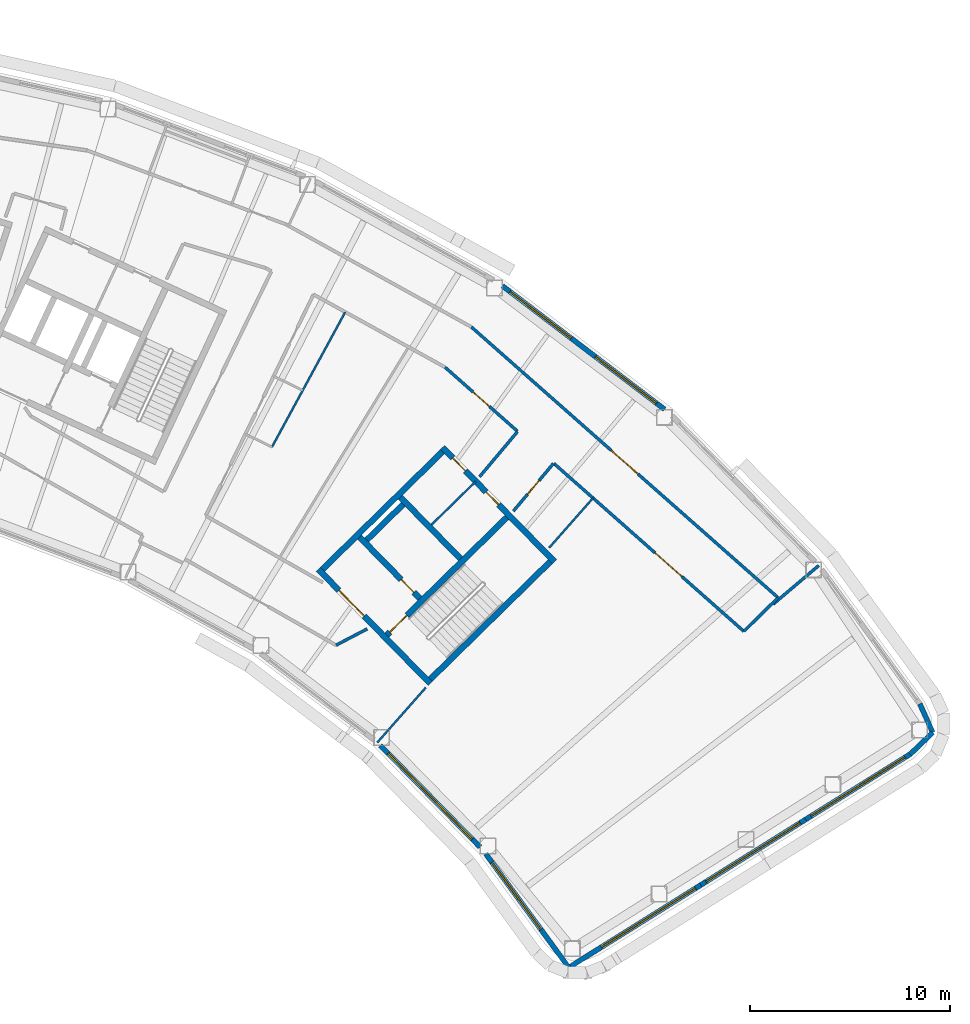
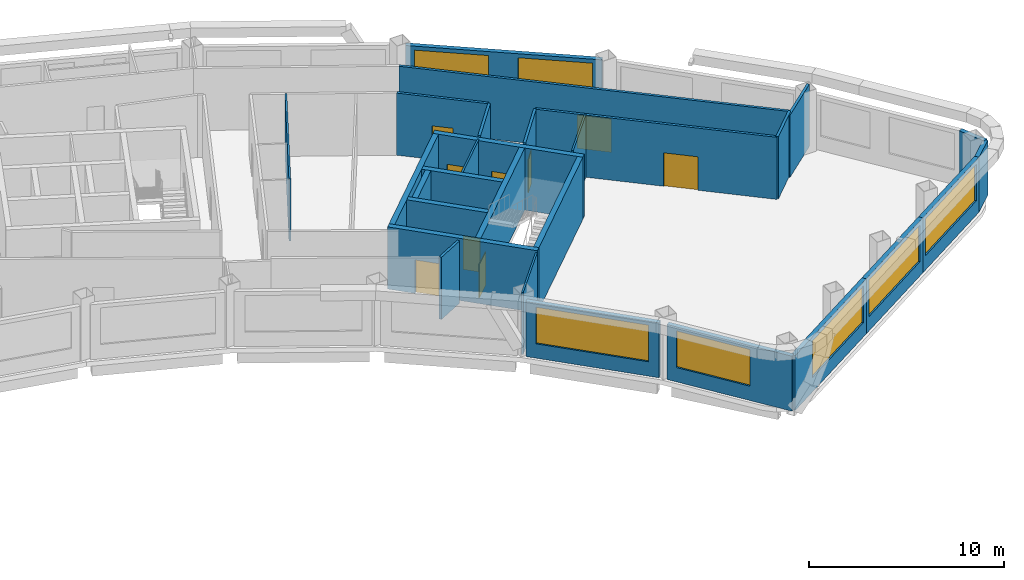
# One storey, part 9 of 16: 28 walls, 9 doors, 7 windows, 16 openings.
"""IFC4 building model written with IfcOpenShell, lengths in metres."""

import ifcopenshell
import ifcopenshell.guid

model = None  # the IFC model being written
_history = None  # IfcOwnerHistory: only IFC2X3 demands one
_inside = {}  # id of a spatial element -> (the spatial element, [elements in it])
_under = {}  # id of a project, library or spatial element -> (it, [spatial elements below it])
_declared = {}  # id of a project -> (the project, [libraries it declares])
_typed = {}  # id of a type object -> (the type object, [elements of that type])
_made_of = {}  # id of a material, layer set ... -> (it, [elements and type objects made of it])


def new_model(schema):
    """Start an empty IFC model of exactly this schema.

    Asked for "IFC4X3", IfcOpenShell would pick the latest addendum, in which some entities
    have other attributes; the version numbers below select the first issue.
    IFC2X3 requires an IfcOwnerHistory on every rooted entity: one is made here for all.
    """
    global model, _history
    if schema == "IFC4X3":
        model = ifcopenshell.file(schema_version=(4, 3, 0, 0))
    else:
        model = ifcopenshell.file(schema=schema)
    _inside.clear()
    _under.clear()
    _declared.clear()
    _typed.clear()
    _made_of.clear()
    _history = None
    if model.schema == "IFC2X3":
        org = make("IfcOrganization", Name="unknown")
        user = make(
            "IfcPersonAndOrganization",
            ThePerson=make("IfcPerson", FamilyName="unknown"),
            TheOrganization=org,
        )
        app = make(
            "IfcApplication",
            ApplicationDeveloper=org,
            Version="unknown",
            ApplicationFullName="unknown",
            ApplicationIdentifier="unknown",
        )
        _history = make(
            "IfcOwnerHistory",
            OwningUser=user,
            OwningApplication=app,
            ChangeAction="ADDED",
            CreationDate=0,
        )
    return model


def make(cls, **values):
    """One entity of the class cls with the attributes given. An attribute that is None is left unset."""
    return model.create_entity(
        cls, **{name: value for name, value in values.items() if value is not None}
    )


def rooted(cls, **values):
    """An entity with a GlobalId (a new one), such as an element, a storey or a relation."""
    return make(cls, GlobalId=ifcopenshell.guid.new(), OwnerHistory=_history, **values)


def si_unit(unit_type, name, prefix=None):
    """IfcSIUnit, for example si_unit("LENGTHUNIT", "METRE", prefix="MILLI")."""
    return make("IfcSIUnit", UnitType=unit_type, Prefix=prefix, Name=name)


def assignment(units):
    """IfcUnitAssignment: the units of a project."""
    return None if units is None else make("IfcUnitAssignment", Units=units)


def point(xyz):
    """IfcCartesianPoint."""
    return None if xyz is None else make("IfcCartesianPoint", Coordinates=xyz)


def direction(xyz):
    """IfcDirection."""
    return None if xyz is None else make("IfcDirection", DirectionRatios=xyz)


def frame(location, z_axis=None, x_axis=None):
    """IfcAxis2Placement3D, a coordinate frame: its origin and axes. An axis left out is left unset."""
    return make(
        "IfcAxis2Placement3D",
        Location=point(location),
        Axis=direction(z_axis),
        RefDirection=direction(x_axis),
    )


def frame_2d(location, x_axis=None):
    """IfcAxis2Placement2D, a coordinate frame in the plane: its origin and x axis."""
    return make(
        "IfcAxis2Placement2D", Location=point(location), RefDirection=direction(x_axis)
    )


def origin():
    """The frame at (0, 0, 0) with its axes left unset."""
    return frame((0.0, 0.0, 0.0))


def place(relative_to, where):
    """IfcLocalPlacement: puts the frame where relative to a parent placement (None: the world)."""
    return make(
        "IfcLocalPlacement", PlacementRelTo=relative_to, RelativePlacement=where
    )


def context(
    kind, dimensions, precision=None, world=None, true_north=None, identifier=None
):
    """IfcGeometricRepresentationContext, for example the 3D "Model" context."""
    return make(
        "IfcGeometricRepresentationContext",
        ContextIdentifier=identifier,
        ContextType=kind,
        CoordinateSpaceDimension=dimensions,
        Precision=precision,
        WorldCoordinateSystem=world,
        TrueNorth=true_north,
    )


def subcontext(parent, identifier, kind, view, scale=None):
    """IfcGeometricRepresentationSubContext, for example "Body" below "Model"."""
    return make(
        "IfcGeometricRepresentationSubContext",
        ContextIdentifier=identifier,
        ContextType=kind,
        ParentContext=parent,
        TargetScale=scale,
        TargetView=view,
    )


def project(units=None, contexts=None):
    """IfcProject with its units and contexts."""
    return rooted(
        "IfcProject",
        Name="project",
        RepresentationContexts=contexts,
        UnitsInContext=assignment(units),
    )


def spatial(cls, under=None, at=None, **own):
    """A site, building, storey or space (cls), placed at a placement, below another one or the project."""
    s = rooted(cls, ObjectPlacement=at, **own)
    if under is not None:
        _under.setdefault(under.id(), (under, []))[1].append(s)
    return s


def profile(cls, at=None, kind="AREA", **sizes):
    """A parametric profile (cls). Its sizes go by their IFC names, for example OverallWidth=200.0."""
    return make(cls, ProfileType=kind, Position=at, **sizes)


def rectangle(**sizes):
    """IfcRectangleProfileDef."""
    return profile("IfcRectangleProfileDef", **sizes)


def extrude(swept, where, along, depth):
    """IfcExtrudedAreaSolid: the profile swept, set in the frame where, extruded along a direction by depth."""
    return make(
        "IfcExtrudedAreaSolid",
        SweptArea=swept,
        Position=where,
        ExtrudedDirection=direction(along),
        Depth=depth,
    )


def shape(context_of_items, identifier, shape_type, items):
    """IfcShapeRepresentation: the items that make up one representation, for example the "Body"."""
    return make(
        "IfcShapeRepresentation",
        ContextOfItems=context_of_items,
        RepresentationIdentifier=identifier,
        RepresentationType=shape_type,
        Items=items,
    )


def material(Name=None, Category=None):
    """IfcMaterial."""
    return make("IfcMaterial", Name=Name, Category=Category)


def layer(
    of_material, thickness, ventilated=None, Name=None, Category=None, Priority=None
):
    """IfcMaterialLayer: one layer of a wall or slab, of a material (None: an air gap)."""
    return make(
        "IfcMaterialLayer",
        Material=of_material,
        LayerThickness=thickness,
        IsVentilated=ventilated,
        Name=Name,
        Category=Category,
        Priority=Priority,
    )


def layer_set(layers, Name=None):
    """IfcMaterialLayerSet."""
    return make("IfcMaterialLayerSet", MaterialLayers=layers, LayerSetName=Name)


def made_of(thing, what):
    """Note that an element or type object is made of a material, layer set ...; save() writes the relation."""
    if what is not None:
        _made_of.setdefault(what.id(), (what, []))[1].append(thing)
    return thing


def type_object(cls, material=None, **own):
    """A type object (cls), such as IfcWallType, which elements share."""
    return made_of(rooted(cls, **own), material)


def element(
    cls,
    number,
    at=None,
    inside=None,
    cuts=None,
    type_object=None,
    material=None,
    context=None,
    identifier="Body",
    shape_type=None,
    held_by="IfcProductDefinitionShape",
    body=None,
    shapes=None,
    **own,
):
    """One element of the class cls, such as IfcWall. Its Tag is "e" and its number.

    at: its placement. inside: the storey or other place that contains it. cuts: it is an
    opening in that element (IfcRelVoidsElement). A single representation is given by context,
    identifier, shape_type and body (its items); several are given by shapes. held_by: the class
    of the entity that holds the representations. save() writes the other relations.
    """
    e = rooted(cls, Tag="e%d" % number, ObjectPlacement=at, **own)
    if body is not None:
        shapes = [shape(context, identifier, shape_type, body)]
    if shapes is not None:
        e.Representation = make(held_by, Representations=shapes)
    if inside is not None:
        _inside.setdefault(inside.id(), (inside, []))[1].append(e)
    if cuts is not None:
        rooted(
            "IfcRelVoidsElement", RelatingBuildingElement=cuts, RelatedOpeningElement=e
        )
    if type_object is not None:
        _typed.setdefault(type_object.id(), (type_object, []))[1].append(e)
    return made_of(e, material)


def fill(opening, filler):
    """IfcRelFillsElement: the door or window that sits in an opening."""
    return rooted(
        "IfcRelFillsElement",
        RelatingOpeningElement=opening,
        RelatedBuildingElement=filler,
    )


def aggregate(whole, parts):
    """IfcRelAggregates: a whole, such as a stair, and the parts it consists of."""
    return rooted("IfcRelAggregates", RelatingObject=whole, RelatedObjects=parts)


def save(model, path):
    """Write the relations noted so far, then the file.

    IfcRelAggregates (storeys below a building ...), IfcRelContainedInSpatialStructure (elements
    in a storey), IfcRelDefinesByType, IfcRelAssociatesMaterial and IfcRelDeclares: one each for
    every whole, place, type object, material and project.
    """
    for whole, parts in _under.values():
        aggregate(whole, parts)
    for where, things in _inside.values():
        rooted(
            "IfcRelContainedInSpatialStructure",
            RelatedElements=things,
            RelatingStructure=where,
        )
    for kind, things in _typed.values():
        rooted("IfcRelDefinesByType", RelatedObjects=things, RelatingType=kind)
    for what, things in _made_of.values():
        rooted("IfcRelAssociatesMaterial", RelatedObjects=things, RelatingMaterial=what)
    for by, libraries in _declared.values():
        rooted("IfcRelDeclares", RelatingContext=by, RelatedDefinitions=libraries)
    model.write(path)


model = new_model("IFC4")

# Units and contexts
model_context = context("Model", 3, precision=1e-05, world=origin(), true_north=direction((0.0, 1.0)))
body_context = subcontext(model_context, "Body", "Model", "MODEL_VIEW")
ifc_project = project(units=[si_unit("LENGTHUNIT", "METRE"), si_unit("AREAUNIT", "SQUARE_METRE"), si_unit("VOLUMEUNIT", "CUBIC_METRE"), si_unit("PLANEANGLEUNIT", "RADIAN"), si_unit("MASSUNIT", "GRAM", prefix="KILO")], contexts=[model_context])

# Site, building, storey
site_placement = place(None, origin())
site = spatial("IfcSite", under=ifc_project, at=site_placement, CompositionType="ELEMENT")
building_placement = place(site_placement, origin())
building = spatial("IfcBuilding", under=site, at=building_placement, Name="Tuul Gate Civic Tower", CompositionType="ELEMENT")
storey_placement = place(building_placement, frame((0.0, 0.0, 261.0)))
storey = spatial("IfcBuildingStorey", under=building, at=storey_placement, Name="Level 59", CompositionType="ELEMENT", Elevation=261.0)

# Wall, opening, door
ifc_material_1 = material(Name="Concrete C50/60", Category="concrete")
ifc_layer_1 = layer(ifc_material_1, 0.300048828125)
ifc_layer_set_1 = layer_set([ifc_layer_1], Name="Concrete C50/60")
wall_type_1 = type_object("IfcWallType", Name="Core wall C50/60", PredefinedType="SHEAR", material=ifc_layer_set_1)
wall_1_placement = place(storey_placement, frame((48.22509765625, -18.327880859375, 0.0), z_axis=(0.0, 0.0, 1.0), x_axis=(-0.700021979774, 0.714121297703, 0.0)))
wall_1 = element("IfcWall", 1, at=wall_1_placement, inside=storey, type_object=wall_type_1, Name="Core wall", PredefinedType="SHEAR", context=body_context, shape_type="SweptSolid", body=[
    extrude(rectangle(XDim=8.0, YDim=0.300048828125, at=frame_2d((4.0, 0.0))), origin(), (0.0, 0.0, 1.0), 3.89990234375),
])
opening_1_placement = place(wall_1_placement, frame((4.72509765625, 0.0, 0.0)))
opening_1 = element("IfcOpeningElement", 2, at=opening_1_placement, cuts=wall_1, Name="Opening LB-E1-LOBBY-1", PredefinedType="OPENING", context=body_context, shape_type="SweptSolid", body=[
    extrude(rectangle(XDim=1.800048828125, YDim=2.10009765625, at=frame_2d((0.89990234375, 1.050048828125))), frame((0.0, 0.16015625, 0.0), z_axis=(0.0, -1.0, 0.0), x_axis=(1.0, 0.0, 0.0)), (0.0, 0.0, 1.0), 0.320068359375),
])
ifc_material_2 = material(Name="Steel", Category="steel")
door_type_1 = type_object("IfcDoorType", Name="Lobby door", OperationType="DOUBLE_DOOR_SINGLE_SWING", PredefinedType="DOOR", material=ifc_material_2)
door_1_placement = place(opening_1_placement, frame((1.800048828125, 0.0, 0.0), z_axis=(0.0, 0.0, 1.0), x_axis=(-1.0, 0.0, 0.0)))
door_1 = element("IfcDoor", 3, at=door_1_placement, inside=storey, type_object=door_type_1, Name="Lobby door E1-LOBBY", OperationType="DOUBLE_DOOR_SINGLE_SWING", OverallHeight=2.10009765625, OverallWidth=1.800048828125, PredefinedType="DOOR", context=body_context, shape_type="SweptSolid", body=[
    extrude(rectangle(XDim=1.800048828125, YDim=2.10009765625, at=frame_2d((0.900146484375, 1.050048828125))), frame((0.0, 0.02490234375, 0.0), z_axis=(0.0, -1.0, 0.0), x_axis=(1.0, 0.0, 0.0)), (0.0, 0.0, 1.0), 0.050048828125),
])
fill(opening_1, door_1)

wall_2_placement = place(storey_placement, frame((47.701904296875, -14.079833984375, 0.0), z_axis=(0.0, 0.0, 1.0), x_axis=(-0.700002721075, 0.714140175657, 0.0)))
wall_2 = element("IfcWall", 4, at=wall_2_placement, inside=storey, type_object=wall_type_1, Name="Core wall", PredefinedType="SHEAR", context=body_context, shape_type="SweptSolid", body=[
    extrude(rectangle(XDim=4.300048828125, YDim=0.300048828125, at=frame_2d((2.14990234375, 0.0))), origin(), (0.0, 0.0, 1.0), 3.89990234375),
])
opening_2_placement = place(wall_2_placement, frame((0.425048828125, 0.0, 0.0)))
opening_2 = element("IfcOpeningElement", 5, at=opening_2_placement, cuts=wall_2, Name="Opening FB-E1A1", PredefinedType="OPENING", context=body_context, shape_type="SweptSolid", body=[
    extrude(rectangle(XDim=0.89990234375, YDim=2.10009765625, at=frame_2d((0.449951171875, 1.050048828125))), frame((0.0, 0.16015625, 0.0), z_axis=(0.0, -1.0, 0.0), x_axis=(1.0, 0.0, 0.0)), (0.0, 0.0, 1.0), 0.320068359375),
])
ifc_material_3 = material(Name="Steel", Category="steel")
door_type_2 = type_object("IfcDoorType", Name="Store door", OperationType="NOTDEFINED", PredefinedType="DOOR", material=ifc_material_3)
door_2_placement = place(opening_2_placement, frame((0.89990234375, 0.0, 0.0), z_axis=(0.0, 0.0, 1.0), x_axis=(-1.0, 0.0, 0.0)))
door_2 = element("IfcDoor", 6, at=door_2_placement, inside=storey, type_object=door_type_2, Name="Store door E1A1", OperationType="SINGLE_SWING_RIGHT", OverallHeight=2.10009765625, OverallWidth=0.89990234375, PredefinedType="DOOR", context=body_context, shape_type="SweptSolid", body=[
    extrude(rectangle(XDim=0.89990234375, YDim=2.10009765625, at=frame_2d((0.449951171875, 1.050048828125))), frame((0.0, 0.02490234375, 0.0), z_axis=(0.0, -1.0, 0.0), x_axis=(1.0, 0.0, 0.0)), (0.0, 0.0, 1.0), 0.050048828125),
])
fill(opening_2, door_2)

# Wall
wall_3_placement = place(storey_placement, frame((49.737060546875, -12.0849609375, 0.0), z_axis=(0.0, 0.0, 1.0), x_axis=(-0.700002721075, 0.714140175657, 0.0)))
element("IfcWall", 7, at=wall_3_placement, inside=storey, type_object=wall_type_1, Name="Core wall", PredefinedType="SHEAR", context=body_context, shape_type="SweptSolid", body=[
    extrude(rectangle(XDim=4.300048828125, YDim=0.300048828125, at=frame_2d((2.14990234375, 0.0))), origin(), (0.0, 0.0, 1.0), 3.89990234375),
])

# Wall, openings, doors
wall_4_placement = place(storey_placement, frame((54.43798828125, -12.23779296875, 0.0), z_axis=(0.0, 0.0, 1.0), x_axis=(-0.700021979774, 0.714121297703, 0.0)))
wall_4 = element("IfcWall", 8, at=wall_4_placement, inside=storey, type_object=wall_type_1, Name="Core wall", PredefinedType="SHEAR", context=body_context, shape_type="SweptSolid", body=[
    extrude(rectangle(XDim=8.0, YDim=0.300048828125, at=frame_2d((4.0, 0.0))), origin(), (0.0, 0.0, 1.0), 3.89990234375),
])
opening_3_placement = place(wall_4_placement, frame((3.987548828125, 0.0, 0.0)))
opening_3 = element("IfcOpeningElement", 9, at=opening_3_placement, cuts=wall_4, Name="Opening V-D28", PredefinedType="OPENING", context=body_context, shape_type="SweptSolid", body=[
    extrude(rectangle(XDim=0.89990234375, YDim=2.10009765625, at=frame_2d((0.449951171875, 1.050048828125))), frame((0.0, 0.16015625, 0.0), z_axis=(0.0, -1.0, 0.0), x_axis=(1.0, 0.0, 0.0)), (0.0, 0.0, 1.0), 0.320068359375),
])
opening_4_placement = place(wall_4_placement, frame((6.362548828125, 0.0, 0.0)))
opening_4 = element("IfcOpeningElement", 10, at=opening_4_placement, cuts=wall_4, Name="Opening V-D29", PredefinedType="OPENING", context=body_context, shape_type="SweptSolid", body=[
    extrude(rectangle(XDim=0.89990234375, YDim=2.10009765625, at=frame_2d((0.449951171875, 1.050048828125))), frame((0.0, 0.16015625, 0.0), z_axis=(0.0, -1.0, 0.0), x_axis=(1.0, 0.0, 0.0)), (0.0, 0.0, 1.0), 0.320068359375),
])
ifc_material_4 = material(Name="Timber door leaf", Category="wood")
door_type_3 = type_object("IfcDoorType", Name="Door D09", OperationType="NOTDEFINED", PredefinedType="DOOR", material=ifc_material_4)
door_3_placement = place(opening_3_placement, origin())
door_3 = element("IfcDoor", 11, at=door_3_placement, inside=storey, type_object=door_type_3, Name="Door V-D28", OperationType="SINGLE_SWING_LEFT", OverallHeight=2.10009765625, OverallWidth=0.89990234375, PredefinedType="DOOR", context=body_context, shape_type="SweptSolid", body=[
    extrude(rectangle(XDim=0.89990234375, YDim=2.10009765625, at=frame_2d((0.449951171875, 1.050048828125))), frame((0.0, 0.02490234375, 0.0), z_axis=(0.0, -1.0, 0.0), x_axis=(1.0, 0.0, 0.0)), (0.0, 0.0, 1.0), 0.050048828125),
])
fill(opening_3, door_3)
door_4_placement = place(opening_4_placement, origin())
door_4 = element("IfcDoor", 12, at=door_4_placement, inside=storey, type_object=door_type_3, Name="Door V-D29", OperationType="SINGLE_SWING_LEFT", OverallHeight=2.10009765625, OverallWidth=0.89990234375, PredefinedType="DOOR", context=body_context, shape_type="SweptSolid", body=[
    extrude(rectangle(XDim=0.89990234375, YDim=2.10009765625, at=frame_2d((0.449951171875, 1.050048828125))), frame((0.0, 0.02490234375, 0.0), z_axis=(0.0, -1.0, 0.0), x_axis=(1.0, 0.0, 0.0)), (0.0, 0.0, 1.0), 0.050048828125),
])
fill(opening_4, door_4)

# Wall
wall_5_placement = place(storey_placement, frame((48.227294921875, -18.115966796875, 0.0), z_axis=(0.0, 0.0, 1.0), x_axis=(0.714105315431, 0.700038283577, 0.0)))
element("IfcWall", 13, at=wall_5_placement, inside=storey, type_object=wall_type_1, Name="Core wall", PredefinedType="SHEAR", context=body_context, shape_type="SweptSolid", body=[
    extrude(rectangle(XDim=8.400146484375, YDim=0.300048828125, at=frame_2d((4.2001953125, 0.0))), origin(), (0.0, 0.0, 1.0), 3.89990234375),
])

# Wall, opening, door
wall_6_placement = place(storey_placement, frame((46.05712890625, -15.902099609375, 0.0), z_axis=(0.0, 0.0, 1.0), x_axis=(0.714134086973, 0.700008932674, 0.0)))
wall_6 = element("IfcWall", 14, at=wall_6_placement, inside=storey, type_object=wall_type_1, Name="Core wall", PredefinedType="SHEAR", context=body_context, shape_type="SweptSolid", body=[
    extrude(rectangle(XDim=8.400146484375, YDim=0.300048828125, at=frame_2d((4.2001953125, 0.0))), origin(), (0.0, 0.0, 1.0), 3.89990234375),
])
opening_5_placement = place(wall_6_placement, frame((0.199951171875, 0.0, 0.0)))
opening_5 = element("IfcOpeningElement", 15, at=opening_5_placement, cuts=wall_6, Name="Opening SD-ST-3", PredefinedType="OPENING", context=body_context, shape_type="SweptSolid", body=[
    extrude(rectangle(XDim=1.199951171875, YDim=2.10009765625, at=frame_2d((0.60009765625, 1.050048828125))), frame((0.0, 0.16015625, 0.0), z_axis=(0.0, -1.0, 0.0), x_axis=(1.0, 0.0, 0.0)), (0.0, 0.0, 1.0), 0.320068359375),
])
ifc_material_5 = material(Name="Steel", Category="steel")
door_type_4 = type_object("IfcDoorType", Name="Stair door", OperationType="NOTDEFINED", PredefinedType="DOOR", material=ifc_material_5)
door_5_placement = place(opening_5_placement, origin())
door_5 = element("IfcDoor", 16, at=door_5_placement, inside=storey, type_object=door_type_4, Name="Stair door ST-3", OperationType="SINGLE_SWING_LEFT", OverallHeight=2.10009765625, OverallWidth=1.199951171875, PredefinedType="DOOR", context=body_context, shape_type="SweptSolid", body=[
    extrude(rectangle(XDim=1.199951171875, YDim=2.10009765625, at=frame_2d((0.60009765625, 1.050048828125))), frame((0.0, 0.02490234375, 0.0), z_axis=(0.0, -1.0, 0.0), x_axis=(1.0, 0.0, 0.0)), (0.0, 0.0, 1.0), 0.050048828125),
])
fill(opening_5, door_5)

# Walls
wall_7_placement = place(storey_placement, frame((45.0439453125, -11.154052734375, 0.0), z_axis=(0.0, 0.0, 1.0), x_axis=(0.714108498262, 0.700035036773, 0.0)))
element("IfcWall", 17, at=wall_7_placement, inside=storey, type_object=wall_type_1, Name="Core wall", PredefinedType="SHEAR", context=body_context, shape_type="SweptSolid", body=[
    extrude(rectangle(XDim=2.550048828125, YDim=0.300048828125, at=frame_2d((1.27490234375, 0.0))), origin(), (0.0, 0.0, 1.0), 3.89990234375),
])
wall_8_placement = place(storey_placement, frame((42.837158203125, -12.616943359375, 0.0), z_axis=(0.0, 0.0, 1.0), x_axis=(0.714119844755, 0.700023461983, 0.0)))
element("IfcWall", 18, at=wall_8_placement, inside=storey, type_object=wall_type_1, Name="Core wall", PredefinedType="SHEAR", context=body_context, shape_type="SweptSolid", body=[
    extrude(rectangle(XDim=8.39990234375, YDim=0.300048828125, at=frame_2d((4.199951171875, 0.0))), origin(), (0.0, 0.0, 1.0), 3.89990234375),
])
ifc_material_6 = material(Name="Gypsum board partition")
ifc_layer_2 = layer(ifc_material_6, 0.14990234375)
ifc_layer_set_2 = layer_set([ifc_layer_2], Name="Gypsum board partition")
wall_type_2 = type_object("IfcWallType", Name="Corridor wall P150", PredefinedType="PARTITIONING", material=ifc_layer_set_2)
wall_9_placement = place(storey_placement, frame((65.37451171875, -14.36083984375, 0.0), z_axis=(0.0, 0.0, 1.0), x_axis=(0.762853274711, 0.646571636605, 0.0)))
element("IfcWall", 19, at=wall_9_placement, inside=storey, type_object=wall_type_2, Name="p004", PredefinedType="PARTITIONING", context=body_context, shape_type="SweptSolid", body=[
    extrude(rectangle(XDim=2.98974609375, YDim=0.14990234375, at=frame_2d((1.494873046875, 0.0))), origin(), (0.0, 0.0, 1.0), 3.89990234375),
])
wall_10_placement = place(storey_placement, frame((63.91015625, -15.72119140625, 0.0), z_axis=(0.0, 0.0, 1.0), x_axis=(0.711669598432, 0.702514329155, 0.0)))
element("IfcWall", 20, at=wall_10_placement, inside=storey, type_object=wall_type_2, Name="p005", PredefinedType="PARTITIONING", context=body_context, shape_type="SweptSolid", body=[
    extrude(rectangle(XDim=2.39990234375, YDim=0.14990234375, at=frame_2d((1.199951171875, 0.0))), origin(), (0.0, 0.0, 1.0), 3.89990234375),
])

# Wall, opening, door
wall_11_placement = place(storey_placement, frame((50.28125, -0.499267578125, 0.0), z_axis=(0.0, 0.0, 1.0), x_axis=(0.749757392986, -0.661712816608, 0.0)))
wall_11 = element("IfcWall", 21, at=wall_11_placement, inside=storey, type_object=wall_type_2, Name="p006", PredefinedType="PARTITIONING", context=body_context, shape_type="SweptSolid", body=[
    extrude(rectangle(XDim=20.455810546875, YDim=0.14990234375, at=frame_2d((10.22802734375, 0.0))), origin(), (0.0, 0.0, 1.0), 3.89990234375),
])
opening_6_placement = place(wall_11_placement, frame((9.327880859375, 0.0, 0.0)))
opening_6 = element("IfcOpeningElement", 22, at=opening_6_placement, cuts=wall_11, Name="Opening V-D01", PredefinedType="OPENING", context=body_context, shape_type="SweptSolid", body=[
    extrude(rectangle(XDim=1.800048828125, YDim=2.10009765625, at=frame_2d((0.89990234375, 1.050048828125))), frame((0.0, 0.0849609375, 0.0), z_axis=(0.0, -1.0, 0.0), x_axis=(1.0, 0.0, 0.0)), (0.0, 0.0, 1.0), 0.169921875),
])
ifc_material_7 = material(Name="Timber door leaf, double", Category="wood")
door_type_5 = type_object("IfcDoorType", Name="Door D18", OperationType="DOUBLE_DOOR_SINGLE_SWING", PredefinedType="DOOR", material=ifc_material_7)
door_6_placement = place(opening_6_placement, origin())
door_6 = element("IfcDoor", 23, at=door_6_placement, inside=storey, type_object=door_type_5, Name="Door V-D01", OperationType="DOUBLE_DOOR_SINGLE_SWING", OverallHeight=2.10009765625, OverallWidth=1.800048828125, PredefinedType="DOOR", context=body_context, shape_type="SweptSolid", body=[
    extrude(rectangle(XDim=1.800048828125, YDim=2.10009765625, at=frame_2d((0.89990234375, 1.050048828125))), frame((0.0, 0.02490234375, 0.0), z_axis=(0.0, -1.0, 0.0), x_axis=(1.0, 0.0, 0.0)), (0.0, 0.0, 1.0), 0.050048828125),
])
fill(opening_6, door_6)

wall_12_placement = place(storey_placement, frame((48.968017578125, -2.51611328125, 0.0), z_axis=(0.0, 0.0, 1.0), x_axis=(0.749324996254, -0.662202423726, 0.0)))
wall_12 = element("IfcWall", 24, at=wall_12_placement, inside=storey, type_object=wall_type_2, Name="p049", PredefinedType="PARTITIONING", context=body_context, shape_type="SweptSolid", body=[
    extrude(rectangle(XDim=4.82275390625, YDim=0.14990234375, at=frame_2d((2.411376953125, 0.0))), origin(), (0.0, 0.0, 1.0), 3.89990234375),
])
opening_7_placement = place(wall_12_placement, frame((1.861572265625, 0.0, 0.0)))
opening_7 = element("IfcOpeningElement", 25, at=opening_7_placement, cuts=wall_12, Name="Opening V-D17", PredefinedType="OPENING", context=body_context, shape_type="SweptSolid", body=[
    extrude(rectangle(XDim=1.10009765625, YDim=2.10009765625, at=frame_2d((0.550048828125, 1.050048828125))), frame((0.0, 0.0849609375, 0.0), z_axis=(0.0, -1.0, 0.0), x_axis=(1.0, 0.0, 0.0)), (0.0, 0.0, 1.0), 0.169921875),
])
ifc_material_8 = material(Name="Timber door leaf", Category="wood")
door_type_6 = type_object("IfcDoorType", Name="Door D11", OperationType="NOTDEFINED", PredefinedType="DOOR", material=ifc_material_8)
door_7_placement = place(opening_7_placement, frame((1.10009765625, 0.0, 0.0), z_axis=(0.0, 0.0, 1.0), x_axis=(-1.0, 0.0, 0.0)))
door_7 = element("IfcDoor", 26, at=door_7_placement, inside=storey, type_object=door_type_6, Name="Door V-D17", OperationType="SINGLE_SWING_LEFT", OverallHeight=2.10009765625, OverallWidth=1.10009765625, PredefinedType="DOOR", context=body_context, shape_type="SweptSolid", body=[
    extrude(rectangle(XDim=1.10009765625, YDim=2.10009765625, at=frame_2d((0.550048828125, 1.050048828125))), frame((0.0, 0.02490234375, 0.0), z_axis=(0.0, -1.0, 0.0), x_axis=(1.0, 0.0, 0.0)), (0.0, 0.0, 1.0), 0.050048828125),
])
fill(opening_7, door_7)

wall_13_placement = place(storey_placement, frame((54.41064453125, -7.326171875, 0.0), z_axis=(0.0, 0.0, 1.0), x_axis=(0.749325085344, -0.662202322915, 0.0)))
wall_13 = element("IfcWall", 27, at=wall_13_placement, inside=storey, type_object=wall_type_2, Name="p050", PredefinedType="PARTITIONING", context=body_context, shape_type="SweptSolid", body=[
    extrude(rectangle(XDim=12.677490234375, YDim=0.14990234375, at=frame_2d((6.3388671875, 0.0))), origin(), (0.0, 0.0, 1.0), 3.89990234375),
])
opening_8_placement = place(wall_13_placement, frame((6.7431640625, 0.0, 0.0)))
opening_8 = element("IfcOpeningElement", 28, at=opening_8_placement, cuts=wall_13, Name="Opening V-D08", PredefinedType="OPENING", context=body_context, shape_type="SweptSolid", body=[
    extrude(rectangle(XDim=1.800048828125, YDim=2.10009765625, at=frame_2d((0.89990234375, 1.050048828125))), frame((0.0, 0.0849609375, 0.0), z_axis=(0.0, -1.0, 0.0), x_axis=(1.0, 0.0, 0.0)), (0.0, 0.0, 1.0), 0.169921875),
])
door_8_placement = place(opening_8_placement, frame((1.800048828125, 0.0, 0.0), z_axis=(0.0, 0.0, 1.0), x_axis=(-1.0, 0.0, 0.0)))
door_8 = element("IfcDoor", 29, at=door_8_placement, inside=storey, type_object=door_type_5, Name="Door V-D08", OperationType="DOUBLE_DOOR_SINGLE_SWING", OverallHeight=2.10009765625, OverallWidth=1.800048828125, PredefinedType="DOOR", context=body_context, shape_type="SweptSolid", body=[
    extrude(rectangle(XDim=1.800048828125, YDim=2.10009765625, at=frame_2d((0.900146484375, 1.050048828125))), frame((0.0, 0.02490234375, 0.0), z_axis=(0.0, -1.0, 0.0), x_axis=(1.0, 0.0, 0.0)), (0.0, 0.0, 1.0), 0.050048828125),
])
fill(opening_8, door_8)

wall_14_placement = place(storey_placement, frame((52.3798828125, -9.709228515625, 0.0), z_axis=(0.0, 0.0, 1.0), x_axis=(0.643582174705, 0.765377021083, 0.0)))
wall_14 = element("IfcWall", 30, at=wall_14_placement, inside=storey, type_object=wall_type_2, Name="p051", PredefinedType="PARTITIONING", context=body_context, shape_type="SweptSolid", body=[
    extrude(rectangle(XDim=3.111083984375, YDim=0.14990234375, at=frame_2d((1.5556640625, 0.0))), origin(), (0.0, 0.0, 1.0), 3.89990234375),
])
opening_9_placement = place(wall_14_placement, frame((1.10546875, 0.0, 0.0)))
opening_9 = element("IfcOpeningElement", 31, at=opening_9_placement, cuts=wall_14, Name="Opening V-D09", PredefinedType="OPENING", context=body_context, shape_type="SweptSolid", body=[
    extrude(rectangle(XDim=0.89990234375, YDim=2.10009765625, at=frame_2d((0.449951171875, 1.050048828125))), frame((0.0, 0.0849609375, 0.0), z_axis=(0.0, -1.0, 0.0), x_axis=(1.0, 0.0, 0.0)), (0.0, 0.0, 1.0), 0.169921875),
])
door_9_placement = place(opening_9_placement, frame((0.89990234375, 0.0, 0.0), z_axis=(0.0, 0.0, 1.0), x_axis=(-1.0, 0.0, 0.0)))
door_9 = element("IfcDoor", 32, at=door_9_placement, inside=storey, type_object=door_type_3, Name="Door V-D09", OperationType="SINGLE_SWING_LEFT", OverallHeight=2.10009765625, OverallWidth=0.89990234375, PredefinedType="DOOR", context=body_context, shape_type="SweptSolid", body=[
    extrude(rectangle(XDim=0.89990234375, YDim=2.10009765625, at=frame_2d((0.449951171875, 1.050048828125))), frame((0.0, 0.02490234375, 0.0), z_axis=(0.0, -1.0, 0.0), x_axis=(1.0, 0.0, 0.0)), (0.0, 0.0, 1.0), 0.050048828125),
])
fill(opening_9, door_9)

# Walls
wall_15_placement = place(storey_placement, frame((43.514892578125, -16.4130859375, 0.0), z_axis=(0.0, 0.0, 1.0), x_axis=(0.885578182446, 0.464490347343, 0.0)))
element("IfcWall", 33, at=wall_15_placement, inside=storey, type_object=wall_type_2, Name="p057", PredefinedType="PARTITIONING", context=body_context, shape_type="SweptSolid", body=[
    extrude(rectangle(XDim=1.755126953125, YDim=0.14990234375, at=frame_2d((0.87744140625, 0.0))), origin(), (0.0, 0.0, 1.0), 3.89990234375),
])
wall_16_placement = place(storey_placement, frame((50.692138671875, -7.9873046875, 0.0), z_axis=(0.0, 0.0, 1.0), x_axis=(0.643601041613, 0.765361156079, 0.0)))
element("IfcWall", 34, at=wall_16_placement, inside=storey, type_object=wall_type_2, Name="p089", PredefinedType="PARTITIONING", context=body_context, shape_type="SweptSolid", body=[
    extrude(rectangle(XDim=2.939453125, YDim=0.14990234375, at=frame_2d((1.4697265625, 0.0))), origin(), (0.0, 0.0, 1.0), 3.89990234375),
])
ifc_material_9 = material(Name="Precast concrete C40/50", Category="concrete")
ifc_layer_3 = layer(ifc_material_9, 0.25)
ifc_layer_set_3 = layer_set([ifc_layer_3], Name="Precast concrete C40/50")
wall_type_3 = type_object("IfcWallType", Name="External wall", PredefinedType="STANDARD", material=ifc_layer_set_3)
wall_17_placement = place(storey_placement, frame((72.2216796875, -21.86669921875, 0.0), z_axis=(0.0, 0.0, 1.0), x_axis=(0.722783622894, 0.69107440589, 0.0)))
element("IfcWall", 35, at=wall_17_placement, inside=storey, type_object=wall_type_3, Name="External wall", PredefinedType="STANDARD", context=body_context, shape_type="SweptSolid", body=[
    extrude(rectangle(XDim=1.570556640625, YDim=0.25, at=frame_2d((0.78515625, 0.0))), origin(), (0.0, 0.0, 1.0), 3.449951171875),
])
wall_18_placement = place(storey_placement, frame((73.35693359375, -20.78125, 0.0), z_axis=(0.0, 0.0, 1.0), x_axis=(-0.412995937313, 0.9107328674, 0.0)))
element("IfcWall", 36, at=wall_18_placement, inside=storey, type_object=wall_type_3, Name="External wall", PredefinedType="STANDARD", context=body_context, shape_type="SweptSolid", body=[
    extrude(rectangle(XDim=1.572998046875, YDim=0.25, at=frame_2d((0.78662109375, 0.0))), origin(), (0.0, 0.0, 1.0), 3.449951171875),
])

# Wall, openings, windows
wall_19_placement = place(storey_placement, frame((59.9404296875, -4.616943359375, 0.0), z_axis=(0.0, 0.0, 1.0), x_axis=(-0.795654969417, 0.605750088437, 0.0)))
wall_19 = element("IfcWall", 37, at=wall_19_placement, inside=storey, type_object=wall_type_3, Name="External wall", PredefinedType="STANDARD", context=body_context, shape_type="SweptSolid", body=[
    extrude(rectangle(XDim=10.189697265625, YDim=0.25, at=frame_2d((5.0947265625, 0.0))), origin(), (0.0, 0.0, 1.0), 3.449951171875),
])
opening_10_placement = place(wall_19_placement, frame((0.49560546875, 0.0, 0.89990234375)))
opening_10 = element("IfcOpeningElement", 38, at=opening_10_placement, cuts=wall_19, Name="Opening W22", PredefinedType="OPENING", context=body_context, shape_type="SweptSolid", body=[
    extrude(rectangle(XDim=3.85009765625, YDim=2.300048828125, at=frame_2d((1.925048828125, 1.14990234375))), frame((0.0, 0.135009765625, 0.0), z_axis=(0.0, -1.0, 0.0), x_axis=(1.0, 0.0, 0.0)), (0.0, 0.0, 1.0), 0.27001953125),
])
opening_11_placement = place(wall_19_placement, frame((5.86669921875, 0.0, 0.89990234375)))
opening_11 = element("IfcOpeningElement", 39, at=opening_11_placement, cuts=wall_19, Name="Opening W22", PredefinedType="OPENING", context=body_context, shape_type="SweptSolid", body=[
    extrude(rectangle(XDim=3.85009765625, YDim=2.300048828125, at=frame_2d((1.925048828125, 1.14990234375))), frame((0.0, 0.135009765625, 0.0), z_axis=(0.0, -1.0, 0.0), x_axis=(1.0, 0.0, 0.0)), (0.0, 0.0, 1.0), 0.27001953125),
])
ifc_material_10 = material(Name="Glass", Category="glass")
window_type_1 = type_object("IfcWindowType", Name="Window W22 3850 x 2300", PartitioningType="SINGLE_PANEL", PredefinedType="WINDOW", material=ifc_material_10)
window_1_placement = place(opening_10_placement, origin())
window_1 = element("IfcWindow", 40, at=window_1_placement, inside=storey, type_object=window_type_1, Name="Window", OverallHeight=2.300048828125, OverallWidth=3.85009765625, PartitioningType="SINGLE_PANEL", PredefinedType="WINDOW", context=body_context, shape_type="SweptSolid", body=[
    extrude(rectangle(XDim=3.85009765625, YDim=2.300048828125, at=frame_2d((1.925048828125, 1.14990234375))), frame((0.0, 0.030029296875, 0.0), z_axis=(0.0, -1.0, 0.0), x_axis=(1.0, 0.0, 0.0)), (0.0, 0.0, 1.0), 0.06005859375),
])
fill(opening_10, window_1)
window_2_placement = place(opening_11_placement, origin())
window_2 = element("IfcWindow", 41, at=window_2_placement, inside=storey, type_object=window_type_1, Name="Window", OverallHeight=2.300048828125, OverallWidth=3.85009765625, PartitioningType="SINGLE_PANEL", PredefinedType="WINDOW", context=body_context, shape_type="SweptSolid", body=[
    extrude(rectangle(XDim=3.85009765625, YDim=2.300048828125, at=frame_2d((1.925048828125, 1.14990234375))), frame((0.0, 0.030029296875, 0.0), z_axis=(0.0, -1.0, 0.0), x_axis=(1.0, 0.0, 0.0)), (0.0, 0.0, 1.0), 0.06005859375),
])
fill(opening_11, window_2)

# Wall, opening, window
wall_20_placement = place(storey_placement, frame((45.73486328125, -21.428955078125, 0.0), z_axis=(0.0, 0.0, 1.0), x_axis=(0.700015105418, -0.714128036269, 0.0)))
wall_20 = element("IfcWall", 42, at=wall_20_placement, inside=storey, type_object=wall_type_3, Name="External wall", PredefinedType="STANDARD", context=body_context, shape_type="SweptSolid", body=[
    extrude(rectangle(XDim=7.10986328125, YDim=0.25, at=frame_2d((3.554931640625, 0.0))), origin(), (0.0, 0.0, 1.0), 3.449951171875),
])
opening_12_placement = place(wall_20_placement, frame((0.553955078125, 0.0, 0.89990234375)))
opening_12 = element("IfcOpeningElement", 43, at=opening_12_placement, cuts=wall_20, Name="Opening W26", PredefinedType="OPENING", context=body_context, shape_type="SweptSolid", body=[
    extrude(rectangle(XDim=6.0, YDim=2.300048828125, at=frame_2d((3.0, 1.14990234375))), frame((0.0, 0.135009765625, 0.0), z_axis=(0.0, -1.0, 0.0), x_axis=(1.0, 0.0, 0.0)), (0.0, 0.0, 1.0), 0.27001953125),
])
ifc_material_11 = material(Name="Glass", Category="glass")
window_type_2 = type_object("IfcWindowType", Name="Window W26 6000 x 2300", PartitioningType="SINGLE_PANEL", PredefinedType="WINDOW", material=ifc_material_11)
window_3_placement = place(opening_12_placement, origin())
window_3 = element("IfcWindow", 44, at=window_3_placement, inside=storey, type_object=window_type_2, Name="Window", OverallHeight=2.300048828125, OverallWidth=6.0, PartitioningType="SINGLE_PANEL", PredefinedType="WINDOW", context=body_context, shape_type="SweptSolid", body=[
    extrude(rectangle(XDim=6.0, YDim=2.300048828125, at=frame_2d((3.0, 1.14990234375))), frame((0.0, 0.030029296875, 0.0), z_axis=(0.0, -1.0, 0.0), x_axis=(1.0, 0.0, 0.0)), (0.0, 0.0, 1.0), 0.06005859375),
])
fill(opening_12, window_3)

wall_21_placement = place(storey_placement, frame((51.001708984375, -26.85009765625, 0.0), z_axis=(0.0, 0.0, 1.0), x_axis=(0.589734649771, -0.807597079526, 0.0)))
wall_21 = element("IfcWall", 45, at=wall_21_placement, inside=storey, type_object=wall_type_3, Name="External wall", PredefinedType="STANDARD", context=body_context, shape_type="SweptSolid", body=[
    extrude(rectangle(XDim=7.03515625, YDim=0.25, at=frame_2d((3.517578125, 0.0))), origin(), (0.0, 0.0, 1.0), 3.449951171875),
])
opening_13_placement = place(wall_21_placement, frame((0.527587890625, 0.0, 0.89990234375)))
opening_13 = element("IfcOpeningElement", 46, at=opening_13_placement, cuts=wall_21, Name="Opening W25", PredefinedType="OPENING", context=body_context, shape_type="SweptSolid", body=[
    extrude(rectangle(XDim=4.14990234375, YDim=2.300048828125, at=frame_2d((2.074951171875, 1.14990234375))), frame((0.0, 0.135009765625, 0.0), z_axis=(0.0, -1.0, 0.0), x_axis=(1.0, 0.0, 0.0)), (0.0, 0.0, 1.0), 0.27001953125),
])
ifc_material_12 = material(Name="Glass", Category="glass")
window_type_3 = type_object("IfcWindowType", Name="Window W25 4150 x 2300", PartitioningType="SINGLE_PANEL", PredefinedType="WINDOW", material=ifc_material_12)
window_4_placement = place(opening_13_placement, origin())
window_4 = element("IfcWindow", 47, at=window_4_placement, inside=storey, type_object=window_type_3, Name="Window", OverallHeight=2.300048828125, OverallWidth=4.14990234375, PartitioningType="SINGLE_PANEL", PredefinedType="WINDOW", context=body_context, shape_type="SweptSolid", body=[
    extrude(rectangle(XDim=4.14990234375, YDim=2.300048828125, at=frame_2d((2.074951171875, 1.14990234375))), frame((0.0, 0.030029296875, 0.0), z_axis=(0.0, -1.0, 0.0), x_axis=(1.0, 0.0, 0.0)), (0.0, 0.0, 1.0), 0.06005859375),
])
fill(opening_13, window_4)

wall_22_placement = place(storey_placement, frame((55.150634765625, -32.53173828125, 0.0), z_axis=(0.0, 0.0, 1.0), x_axis=(0.848019436648, 0.529965126274, 0.0)))
wall_22 = element("IfcWall", 48, at=wall_22_placement, inside=storey, type_object=wall_type_3, Name="External wall", PredefinedType="STANDARD", context=body_context, shape_type="SweptSolid", body=[
    extrude(rectangle(XDim=7.7880859375, YDim=0.25, at=frame_2d((3.89404296875, 0.0))), origin(), (0.0, 0.0, 1.0), 3.449951171875),
])
opening_14_placement = place(wall_22_placement, frame((1.921630859375, 0.0, 0.89990234375)))
opening_14 = element("IfcOpeningElement", 49, at=opening_14_placement, cuts=wall_22, Name="Opening W24", PredefinedType="OPENING", context=body_context, shape_type="SweptSolid", body=[
    extrude(rectangle(XDim=5.550048828125, YDim=2.300048828125, at=frame_2d((2.77490234375, 1.14990234375))), frame((0.0, 0.135009765625, 0.0), z_axis=(0.0, -1.0, 0.0), x_axis=(1.0, 0.0, 0.0)), (0.0, 0.0, 1.0), 0.27001953125),
])
ifc_material_13 = material(Name="Glass", Category="glass")
window_type_4 = type_object("IfcWindowType", Name="Window W24 5550 x 2300", PartitioningType="SINGLE_PANEL", PredefinedType="WINDOW", material=ifc_material_13)
window_5_placement = place(opening_14_placement, origin())
window_5 = element("IfcWindow", 50, at=window_5_placement, inside=storey, type_object=window_type_4, Name="Window", OverallHeight=2.300048828125, OverallWidth=5.550048828125, PartitioningType="SINGLE_PANEL", PredefinedType="WINDOW", context=body_context, shape_type="SweptSolid", body=[
    extrude(rectangle(XDim=5.550048828125, YDim=2.300048828125, at=frame_2d((2.77490234375, 1.14990234375))), frame((0.0, 0.030029296875, 0.0), z_axis=(0.0, -1.0, 0.0), x_axis=(1.0, 0.0, 0.0)), (0.0, 0.0, 1.0), 0.06005859375),
])
fill(opening_14, window_5)

wall_23_placement = place(storey_placement, frame((61.755126953125, -28.404296875, 0.0), z_axis=(0.0, 0.0, 1.0), x_axis=(0.848036012993, 0.529938600846, 0.0)))
wall_23 = element("IfcWall", 51, at=wall_23_placement, inside=storey, type_object=wall_type_3, Name="External wall", PredefinedType="STANDARD", context=body_context, shape_type="SweptSolid", body=[
    extrude(rectangle(XDim=6.18310546875, YDim=0.25, at=frame_2d((3.091552734375, 0.0))), origin(), (0.0, 0.0, 1.0), 3.449951171875),
])
opening_15_placement = place(wall_23_placement, frame((0.31640625, 0.0, 0.89990234375)))
opening_15 = element("IfcOpeningElement", 52, at=opening_15_placement, cuts=wall_23, Name="Opening W24", PredefinedType="OPENING", context=body_context, shape_type="SweptSolid", body=[
    extrude(rectangle(XDim=5.550048828125, YDim=2.300048828125, at=frame_2d((2.77490234375, 1.14990234375))), frame((0.0, 0.135009765625, 0.0), z_axis=(0.0, -1.0, 0.0), x_axis=(1.0, 0.0, 0.0)), (0.0, 0.0, 1.0), 0.27001953125),
])
window_6_placement = place(opening_15_placement, origin())
window_6 = element("IfcWindow", 53, at=window_6_placement, inside=storey, type_object=window_type_4, Name="Window", OverallHeight=2.300048828125, OverallWidth=5.550048828125, PartitioningType="SINGLE_PANEL", PredefinedType="WINDOW", context=body_context, shape_type="SweptSolid", body=[
    extrude(rectangle(XDim=5.550048828125, YDim=2.300048828125, at=frame_2d((2.77490234375, 1.14990234375))), frame((0.0, 0.030029296875, 0.0), z_axis=(0.0, -1.0, 0.0), x_axis=(1.0, 0.0, 0.0)), (0.0, 0.0, 1.0), 0.06005859375),
])
fill(opening_15, window_6)

wall_24_placement = place(storey_placement, frame((66.99853515625, -25.127685546875, 0.0), z_axis=(0.0, 0.0, 1.0), x_axis=(0.848024923451, 0.529956346509, 0.0)))
wall_24 = element("IfcWall", 54, at=wall_24_placement, inside=storey, type_object=wall_type_3, Name="External wall", PredefinedType="STANDARD", context=body_context, shape_type="SweptSolid", body=[
    extrude(rectangle(XDim=6.182861328125, YDim=0.25, at=frame_2d((3.09130859375, 0.0))), origin(), (0.0, 0.0, 1.0), 3.449951171875),
])
opening_16_placement = place(wall_24_placement, frame((0.31640625, 0.0, 0.89990234375)))
opening_16 = element("IfcOpeningElement", 55, at=opening_16_placement, cuts=wall_24, Name="Opening W24", PredefinedType="OPENING", context=body_context, shape_type="SweptSolid", body=[
    extrude(rectangle(XDim=5.550048828125, YDim=2.300048828125, at=frame_2d((2.77490234375, 1.14990234375))), frame((0.0, 0.135009765625, 0.0), z_axis=(0.0, -1.0, 0.0), x_axis=(1.0, 0.0, 0.0)), (0.0, 0.0, 1.0), 0.27001953125),
])
window_7_placement = place(opening_16_placement, origin())
window_7 = element("IfcWindow", 56, at=window_7_placement, inside=storey, type_object=window_type_4, Name="Window", OverallHeight=2.300048828125, OverallWidth=5.550048828125, PartitioningType="SINGLE_PANEL", PredefinedType="WINDOW", context=body_context, shape_type="SweptSolid", body=[
    extrude(rectangle(XDim=5.550048828125, YDim=2.300048828125, at=frame_2d((2.77490234375, 1.14990234375))), frame((0.0, 0.030029296875, 0.0), z_axis=(0.0, -1.0, 0.0), x_axis=(1.0, 0.0, 0.0)), (0.0, 0.0, 1.0), 0.06005859375),
])
fill(opening_16, window_7)

# Walls
ifc_material_14 = material(Name="Gypsum board partition")
ifc_layer_4 = layer(ifc_material_14, 0.10009765625)
ifc_layer_set_4 = layer_set([ifc_layer_4], Name="Gypsum board partition")
wall_type_4 = type_object("IfcWallType", Name="Partition P100", PredefinedType="PARTITIONING", material=ifc_layer_set_4)
wall_25_placement = place(storey_placement, frame((45.57861328125, -21.27685546875, 0.0), z_axis=(0.0, 0.0, 1.0), x_axis=(0.661687751175, 0.749779514221, 0.0)))
element("IfcWall", 57, at=wall_25_placement, inside=storey, type_object=wall_type_4, Name="p047", PredefinedType="PARTITIONING", context=body_context, shape_type="SweptSolid", body=[
    extrude(rectangle(XDim=3.663818359375, YDim=0.10009765625, at=frame_2d((1.83203125, 0.0))), origin(), (0.0, 0.0, 1.0), 3.89990234375),
])
wall_26_placement = place(storey_placement, frame((54.172607421875, -11.538818359375, 0.0), z_axis=(0.0, 0.0, 1.0), x_axis=(0.661684976326, 0.749781963043, 0.0)))
element("IfcWall", 58, at=wall_26_placement, inside=storey, type_object=wall_type_4, Name="p048", PredefinedType="PARTITIONING", context=body_context, shape_type="SweptSolid", body=[
    extrude(rectangle(XDim=3.314453125, YDim=0.10009765625, at=frame_2d((1.6572265625, 0.0))), origin(), (0.0, 0.0, 1.0), 3.89990234375),
])
wall_27_placement = place(storey_placement, frame((40.30859375, -6.501708984375, 0.0), z_axis=(0.0, 0.0, 1.0), x_axis=(0.477143068786, 0.878825632256, 0.0)))
element("IfcWall", 59, at=wall_27_placement, inside=storey, type_object=wall_type_4, Name="p091", PredefinedType="PARTITIONING", context=body_context, shape_type="SweptSolid", body=[
    extrude(rectangle(XDim=7.6806640625, YDim=0.10009765625, at=frame_2d((3.84033203125, 0.0))), origin(), (0.0, 0.0, 1.0), 3.89990234375),
])
wall_28_placement = place(storey_placement, frame((48.28662109375, -10.390869140625, 0.0), z_axis=(0.0, 0.0, 1.0), x_axis=(0.714159293908, 0.699983216173, 0.0)))
element("IfcWall", 60, at=wall_28_placement, inside=storey, type_object=wall_type_4, Name="bE1-BAND-0", PredefinedType="PARTITIONING", context=body_context, shape_type="SweptSolid", body=[
    extrude(rectangle(XDim=3.099853515625, YDim=0.10009765625, at=frame_2d((1.5498046875, 0.0))), origin(), (0.0, 0.0, 1.0), 3.89990234375),
])

save(model, "model.ifc")
